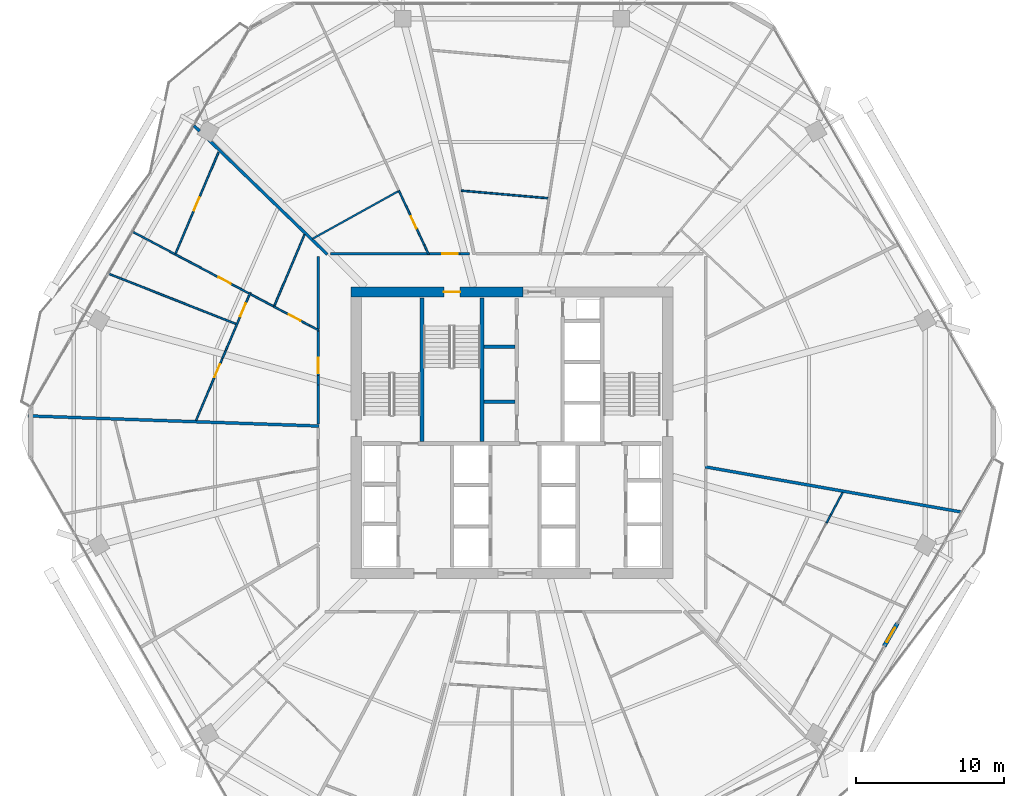
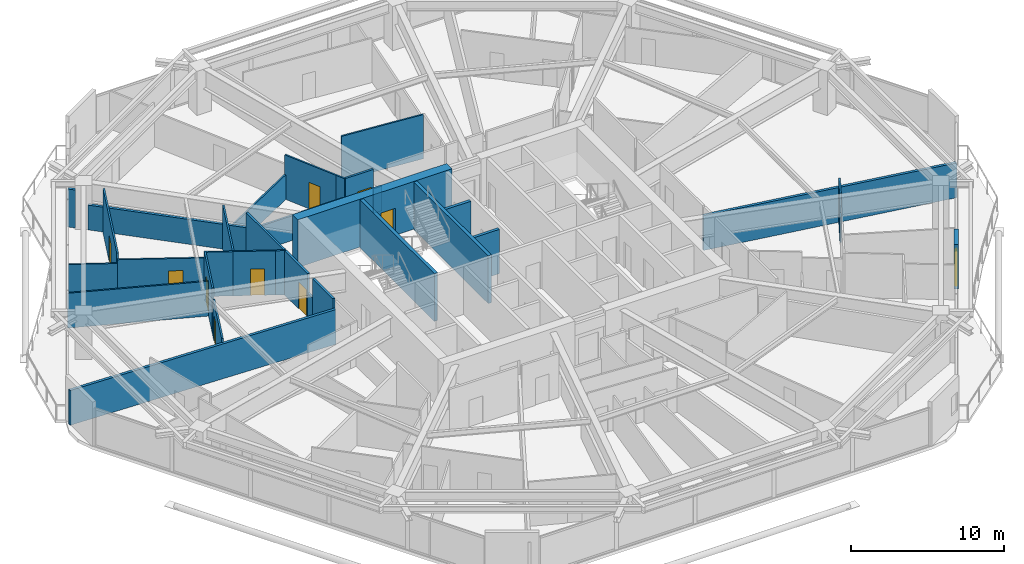
# One storey, part 29 of 33: 34 walls, 10 doors, 10 openings.
"""IFC4 building model written with IfcOpenShell, lengths in metres."""

from ifc_helpers import new_model, si_unit, direction, frame, frame_2d, origin, place, context, subcontext, project, spatial, rectangle, extrude, material, layer, layer_set, type_object, element, fill, save


model = new_model("IFC4")

# Units and contexts
model_context = context("Model", 3, precision=1e-05, world=origin(), true_north=direction((0.0, 1.0)))
body_context = subcontext(model_context, "Body", "Model", "MODEL_VIEW")
ifc_project = project(units=[si_unit("LENGTHUNIT", "METRE"), si_unit("AREAUNIT", "SQUARE_METRE"), si_unit("VOLUMEUNIT", "CUBIC_METRE"), si_unit("PLANEANGLEUNIT", "RADIAN"), si_unit("MASSUNIT", "GRAM", prefix="KILO")], contexts=[model_context])

# Site, building, storey
site_placement = place(None, origin())
site = spatial("IfcSite", under=ifc_project, at=site_placement, CompositionType="ELEMENT")
building_placement = place(site_placement, origin())
building = spatial("IfcBuilding", under=site, at=building_placement, Name="Zuhravey Tower", CompositionType="ELEMENT")
storey_placement = place(building_placement, frame((0.0, 0.0, 141.800048828125)))
storey = spatial("IfcBuildingStorey", under=building, at=storey_placement, Name="L35", CompositionType="ELEMENT", Elevation=141.800048828125)

# Wall, opening, door
ifc_material_1 = material(Name="Concrete C60/75", Category="concrete")
ifc_layer_1 = layer(ifc_material_1, 0.699951171875)
ifc_layer_set_1 = layer_set([ifc_layer_1], Name="Concrete C60/75")
wall_type_1 = type_object("IfcWallType", Name="Core Shear Wall 700", PredefinedType="SHEAR", material=ifc_layer_set_1)
wall_1_placement = place(storey_placement, frame((36.75, 41.5, 0.0), z_axis=(0.0, 0.0, 1.0), x_axis=(-1.0, 0.0, 0.0)))
wall_1 = element("IfcWall", 1, at=wall_1_placement, inside=storey, type_object=wall_type_1, Name="L35 North-West Core Shear Wall CW70", PredefinedType="SHEAR", context=body_context, shape_type="SweptSolid", body=[
    extrude(rectangle(XDim=11.60009765625, YDim=0.699951171875, at=frame_2d((5.800048828125, 0.0))), origin(), (0.0, 0.0, 1.0), 3.800048828125),
])
opening_1_placement = place(wall_1_placement, frame((4.25, 0.0, 0.0)))
opening_1 = element("IfcOpeningElement", 2, at=opening_1_placement, cuts=wall_1, Name="Opening STD1", PredefinedType="OPENING", context=body_context, shape_type="SweptSolid", body=[
    extrude(rectangle(XDim=1.10009765625, YDim=2.14990234375, at=frame_2d((0.550048828125, 1.074951171875))), frame((0.0, 0.362060546875, 0.0), z_axis=(0.0, -1.0, 0.0), x_axis=(1.0, 0.0, 0.0)), (0.0, 0.0, 1.0), 0.723876953125),
])
ifc_material_2 = material(Name="Galvanised fire-rated steel leaf", Category="steel")
door_type_1 = type_object("IfcDoorType", Name="Protected Stair Fire Door 1100x2150", OperationType="NOTDEFINED", PredefinedType="USERDEFINED", material=ifc_material_2)
door_1_placement = place(opening_1_placement, origin())
door_1 = element("IfcDoor", 3, at=door_1_placement, inside=storey, type_object=door_type_1, Name="L35 Stair ST3 Door", ObjectType="EXITDOOR", OperationType="SINGLE_SWING_RIGHT", OverallHeight=2.14990234375, OverallWidth=1.10009765625, PredefinedType="USERDEFINED", context=body_context, shape_type="SweptSolid", body=[
    extrude(rectangle(XDim=1.10009765625, YDim=2.14990234375, at=frame_2d((0.550048828125, 1.074951171875))), frame((0.0, 0.02490234375, 0.0), z_axis=(0.0, -1.0, 0.0), x_axis=(1.0, 0.0, 0.0)), (0.0, 0.0, 1.0), 0.050048828125),
])
fill(opening_1, door_1)

ifc_material_3 = material(Name="Gypsum fire-rated stud partition")
ifc_layer_2 = layer(ifc_material_3, 0.159912109375)
ifc_layer_set_2 = layer_set([ifc_layer_2], Name="Gypsum fire-rated stud partition")
wall_type_2 = type_object("IfcWallType", Name="Corridor Fire Partition 160", PredefinedType="PARTITIONING", material=ifc_layer_set_2)
wall_2_placement = place(storey_placement, frame((32.492919921875, 44.080078125, 0.0), z_axis=(0.0, 0.0, 1.0), x_axis=(-1.0, 0.0, 0.0)))
wall_2 = element("IfcWall", 4, at=wall_2_placement, inside=storey, type_object=wall_type_2, Name="L35 IW16 Partition 032", PredefinedType="PARTITIONING", context=body_context, shape_type="SweptSolid", body=[
    extrude(rectangle(XDim=2.114013671875, YDim=0.159912109375, at=frame_2d((1.05712890625, 0.0))), origin(), (0.0, 0.0, 1.0), 3.52001953125),
])
opening_2_placement = place(wall_2_placement, frame((0.139892578125, 0.0, 0.0)))
opening_2 = element("IfcOpeningElement", 5, at=opening_2_placement, cuts=wall_2, Name="Opening APD1", PredefinedType="OPENING", context=body_context, shape_type="SweptSolid", body=[
    extrude(rectangle(XDim=1.050048828125, YDim=2.14990234375, at=frame_2d((0.52490234375, 1.074951171875))), frame((0.0, 0.092041015625, 0.0), z_axis=(0.0, -1.0, 0.0), x_axis=(1.0, 0.0, 0.0)), (0.0, 0.0, 1.0), 0.183837890625),
])
ifc_material_4 = material(Name="Solid-core oak fire-rated leaf")
door_type_2 = type_object("IfcDoorType", Name="Apartment Entrance Fire Door 1050x2150", OperationType="NOTDEFINED", PredefinedType="DOOR", material=ifc_material_4)
door_2_placement = place(opening_2_placement, frame((1.050048828125, 0.0, 0.0), z_axis=(0.0, 0.0, 1.0), x_axis=(-1.0, 0.0, 0.0)))
door_2 = element("IfcDoor", 6, at=door_2_placement, inside=storey, type_object=door_type_2, Name="L35 Door 032.1", OperationType="SINGLE_SWING_RIGHT", OverallHeight=2.14990234375, OverallWidth=1.050048828125, PredefinedType="DOOR", context=body_context, shape_type="SweptSolid", body=[
    extrude(rectangle(XDim=1.050048828125, YDim=2.14990234375, at=frame_2d((0.52490234375, 1.074951171875))), frame((0.0, 0.02490234375, 0.0), z_axis=(0.0, -1.0, 0.0), x_axis=(1.0, 0.0, 0.0)), (0.0, 0.0, 1.0), 0.050048828125),
])
fill(opening_2, door_2)

wall_3_placement = place(storey_placement, frame((22.919921875, 38.90869140625, 0.0), z_axis=(0.0, 0.0, 1.0), x_axis=(0.0, -1.0, 0.0)))
wall_3 = element("IfcWall", 7, at=wall_3_placement, inside=storey, type_object=wall_type_2, Name="L35 IW16 Partition 039", PredefinedType="PARTITIONING", context=body_context, shape_type="SweptSolid", body=[
    extrude(rectangle(XDim=3.02587890625, YDim=0.159912109375, at=frame_2d((1.512939453125, 0.0))), origin(), (0.0, 0.0, 1.0), 3.52001953125),
])
opening_3_placement = place(wall_3_placement, frame((1.8359375, 0.0, 0.0)))
opening_3 = element("IfcOpeningElement", 8, at=opening_3_placement, cuts=wall_3, Name="Opening APD1", PredefinedType="OPENING", context=body_context, shape_type="SweptSolid", body=[
    extrude(rectangle(XDim=1.050048828125, YDim=2.14990234375, at=frame_2d((0.52490234375, 1.074951171875))), frame((0.0, 0.092041015625, 0.0), z_axis=(0.0, -1.0, 0.0), x_axis=(1.0, 0.0, 0.0)), (0.0, 0.0, 1.0), 0.183837890625),
])
door_3_placement = place(opening_3_placement, frame((1.050048828125, 0.0, 0.0), z_axis=(0.0, 0.0, 1.0), x_axis=(-1.0, 0.0, 0.0)))
door_3 = element("IfcDoor", 9, at=door_3_placement, inside=storey, type_object=door_type_2, Name="L35 Door 039.1", OperationType="SINGLE_SWING_RIGHT", OverallHeight=2.14990234375, OverallWidth=1.050048828125, PredefinedType="DOOR", context=body_context, shape_type="SweptSolid", body=[
    extrude(rectangle(XDim=1.050048828125, YDim=2.14990234375, at=frame_2d((0.52490234375, 1.074951171875))), frame((0.0, 0.02490234375, 0.0), z_axis=(0.0, -1.0, 0.0), x_axis=(1.0, 0.0, 0.0)), (0.0, 0.0, 1.0), 0.050048828125),
])
fill(opening_3, door_3)

# Walls
wall_4_placement = place(storey_placement, frame((33.135986328125, 44.080078125, 0.0), z_axis=(0.0, 0.0, 1.0), x_axis=(-1.0, 0.0, 0.0)))
element("IfcWall", 10, at=wall_4_placement, inside=storey, type_object=wall_type_2, Name="L35 IW16 Partition 092", PredefinedType="PARTITIONING", context=body_context, shape_type="SweptSolid", body=[
    extrude(rectangle(XDim=0.64306640625, YDim=0.159912109375, at=frame_2d((0.321533203125, 0.0))), origin(), (0.0, 0.0, 1.0), 1.969970703125),
])
wall_5_placement = place(storey_placement, frame((22.919921875, 35.8828125, 0.0), z_axis=(0.0, 0.0, 1.0), x_axis=(0.0, -1.0, 0.0)))
element("IfcWall", 11, at=wall_5_placement, inside=storey, type_object=wall_type_2, Name="L35 IW16 Partition 100", PredefinedType="PARTITIONING", context=body_context, shape_type="SweptSolid", body=[
    extrude(rectangle(XDim=0.644775390625, YDim=0.159912109375, at=frame_2d((0.322265625, 0.0))), origin(), (0.0, 0.0, 1.0), 1.969970703125),
])
wall_6_placement = place(storey_placement, frame((22.919921875, 35.238037109375, 0.0), z_axis=(0.0, 0.0, 1.0), x_axis=(0.0, -1.0, 0.0)))
element("IfcWall", 12, at=wall_6_placement, inside=storey, type_object=wall_type_2, Name="L35 IW16 Partition 101", PredefinedType="PARTITIONING", context=body_context, shape_type="SweptSolid", body=[
    extrude(rectangle(XDim=2.64697265625, YDim=0.159912109375, at=frame_2d((1.323486328125, 0.0))), origin(), (0.0, 0.0, 1.0), 3.52001953125),
])
wall_7_placement = place(storey_placement, frame((30.28173828125, 44.080078125, 0.0), z_axis=(0.0, 0.0, 1.0), x_axis=(-1.0, 0.0, 0.0)))
element("IfcWall", 13, at=wall_7_placement, inside=storey, type_object=wall_type_2, Name="L35 IW16 Partition 145", PredefinedType="PARTITIONING", context=body_context, shape_type="SweptSolid", body=[
    extrude(rectangle(XDim=6.5458984375, YDim=0.159912109375, at=frame_2d((3.27294921875, 0.0))), origin(), (0.0, 0.0, 1.0), 1.969970703125),
])
wall_8_placement = place(storey_placement, frame((22.919921875, 43.89990234375, 0.0), z_axis=(0.0, 0.0, 1.0), x_axis=(0.0, -1.0, 0.0)))
element("IfcWall", 14, at=wall_8_placement, inside=storey, type_object=wall_type_2, Name="L35 IW16 Partition 146", PredefinedType="PARTITIONING", context=body_context, shape_type="SweptSolid", body=[
    extrude(rectangle(XDim=4.8916015625, YDim=0.159912109375, at=frame_2d((2.44580078125, 0.0))), origin(), (0.0, 0.0, 1.0), 3.52001953125),
])

# Wall, opening, door
ifc_material_5 = material(Name="Precast concrete C40/50", Category="concrete")
ifc_layer_3 = layer(ifc_material_5, 0.280029296875)
ifc_layer_set_3 = layer_set([ifc_layer_3], Name="Precast concrete C40/50")
wall_type_3 = type_object("IfcWallType", Name="Crown Architectural Wall 280", PredefinedType="SOLIDWALL", material=ifc_layer_set_3)
wall_9_placement = place(storey_placement, frame((62.014892578125, 19.14208984375, 0.0), z_axis=(0.0, 0.0, 1.0), x_axis=(-0.499982180423, -0.866035691677, 0.0)))
wall_9 = element("IfcWall", 15, at=wall_9_placement, inside=storey, type_object=wall_type_3, Name="L35 Face 6 Facade Pier EW28-1", PredefinedType="SOLIDWALL", context=body_context, shape_type="SweptSolid", body=[
    extrude(rectangle(XDim=1.7900390625, YDim=0.280029296875, at=frame_2d((0.89501953125, 0.0))), origin(), (0.0, 0.0, 1.0), 3.52001953125),
])
opening_4_placement = place(wall_9_placement, frame((0.344970703125, 0.0, 0.0)))
opening_4 = element("IfcOpeningElement", 16, at=opening_4_placement, cuts=wall_9, Name="Opening BLD1", PredefinedType="OPENING", context=body_context, shape_type="SweptSolid", body=[
    extrude(rectangle(XDim=1.10009765625, YDim=2.199951171875, at=frame_2d((0.550048828125, 1.10009765625))), frame((0.0, 0.152099609375, 0.0), z_axis=(0.0, -1.0, 0.0), x_axis=(1.0, 0.0, 0.0)), (0.0, 0.0, 1.0), 0.303955078125),
])
ifc_material_6 = material(Name="Thermally broken aluminium and low-E glass", Category="aluminium")
door_type_3 = type_object("IfcDoorType", Name="Balcony & Sky-Tray Glazed Door 1100x2200", OperationType="NOTDEFINED", PredefinedType="DOOR", material=ifc_material_6)
door_4_placement = place(opening_4_placement, frame((1.10009765625, 0.0, 0.0), z_axis=(0.0, 0.0, 1.0), x_axis=(-1.0, 0.0, 0.0)))
door_4 = element("IfcDoor", 17, at=door_4_placement, inside=storey, type_object=door_type_3, Name="L35 Face 6 Wave Balcony Door", OperationType="SINGLE_SWING_LEFT", OverallHeight=2.199951171875, OverallWidth=1.10009765625, PredefinedType="DOOR", context=body_context, shape_type="SweptSolid", body=[
    extrude(rectangle(XDim=1.10009765625, YDim=2.199951171875, at=frame_2d((0.550048828125, 1.10009765625))), frame((0.0, 0.02490234375, 0.0), z_axis=(0.0, -1.0, 0.0), x_axis=(1.0, 0.0, 0.0)), (0.0, 0.0, 1.0), 0.050048828125),
])
fill(opening_4, door_4)

# Walls
ifc_material_7 = material(Name="Concrete C50/60", Category="concrete")
ifc_layer_4 = layer(ifc_material_7, 0.25)
ifc_layer_set_4 = layer_set([ifc_layer_4], Name="Concrete C50/60")
wall_type_4 = type_object("IfcWallType", Name="Firefighting Shaft & Stair Wall 250", PredefinedType="SOLIDWALL", material=ifc_layer_set_4)
for number, where, z_axis, x_axis, name in (
    (18, (29.925048828125, 31.39990234375, 0.0), (0.0, 0.0, 1.0), (0.0, 1.0, 0.0), "L35 FW25 Shaft Wall 004"),
    (19, (33.97509765625, 31.39990234375, 0.0), (0.0, 0.0, 1.0), (0.0, 1.0, 0.0), "L35 FW25 Shaft Wall 005"),
):
    element("IfcWall", number, at=place(storey_placement, frame(where, z_axis=z_axis, x_axis=x_axis)), inside=storey, type_object=wall_type_4, Name=name, PredefinedType="SOLIDWALL", context=body_context, shape_type="SweptSolid", body=[
        extrude(rectangle(XDim=9.7001953125, YDim=0.25, at=frame_2d((4.85009765625, 0.0))), origin(), (0.0, 0.0, 1.0), 3.800048828125),
    ])
ifc_material_8 = material(Name="Gypsum double-stud party assembly")
ifc_layer_5 = layer(ifc_material_8, 0.199951171875)
ifc_layer_set_5 = layer_set([ifc_layer_5], Name="Gypsum double-stud party assembly")
wall_type_5 = type_object("IfcWallType", Name="Inter-Tenancy Party Wall 200", PredefinedType="PARTITIONING", material=ifc_layer_set_5)
wall_10_placement = place(storey_placement, frame((23.5322265625, 44.0400390625, 0.0), z_axis=(0.0, 0.0, 1.0), x_axis=(-0.719346007821, 0.694651942365, 0.0)))
element("IfcWall", 20, at=wall_10_placement, inside=storey, type_object=wall_type_5, Name="L35 IW20 Partition 093", PredefinedType="PARTITIONING", context=body_context, shape_type="SweptSolid", body=[
    extrude(rectangle(XDim=11.152099609375, YDim=0.199951171875, at=frame_2d((5.576171875, 0.0))), origin(), (0.0, 0.0, 1.0), 1.969970703125),
])
wall_11_placement = place(storey_placement, frame((14.910888671875, 52.365478515625, 0.0), z_axis=(0.0, 0.0, 1.0), x_axis=(-0.719257985061, 0.694743082676, 0.0)))
element("IfcWall", 21, at=wall_11_placement, inside=storey, type_object=wall_type_5, Name="L35 IW20 Partition 094", PredefinedType="PARTITIONING", context=body_context, shape_type="SweptSolid", body=[
    extrude(rectangle(XDim=0.52783203125, YDim=0.199951171875, at=frame_2d((0.263916015625, 0.0))), origin(), (0.0, 0.0, 1.0), 3.02001953125),
])
wall_12_placement = place(storey_placement, frame((22.9599609375, 32.455322265625, 0.0), z_axis=(0.0, 0.0, 1.0), x_axis=(-0.999390490405, 0.03490913473, 0.0)))
element("IfcWall", 22, at=wall_12_placement, inside=storey, type_object=wall_type_5, Name="L35 IW20 Partition 102", PredefinedType="PARTITIONING", context=body_context, shape_type="SweptSolid", body=[
    extrude(rectangle(XDim=19.64501953125, YDim=0.199951171875, at=frame_2d((9.822509765625, 0.0))), origin(), (0.0, 0.0, 1.0), 2.77001953125),
])
wall_13_placement = place(storey_placement, frame((49.0400390625, 29.70068359375, 0.0), z_axis=(0.0, 0.0, 1.0), x_axis=(0.98480788117, -0.173647450844, 0.0)))
element("IfcWall", 23, at=wall_13_placement, inside=storey, type_object=wall_type_5, Name="L35 IW20 Partition 139", PredefinedType="PARTITIONING", context=body_context, shape_type="SweptSolid", body=[
    extrude(rectangle(XDim=17.575927734375, YDim=0.199951171875, at=frame_2d((8.7880859375, 0.0))), origin(), (0.0, 0.0, 1.0), 2.77001953125),
])
ifc_material_9 = material(Name="Gypsum acoustic stud assembly")
ifc_layer_6 = layer(ifc_material_9, 0.219970703125)
ifc_layer_set_6 = layer_set([ifc_layer_6], Name="Gypsum acoustic stud assembly")
wall_type_6 = type_object("IfcWallType", Name="School Acoustic Compartment Wall 220", PredefinedType="PARTITIONING", material=ifc_layer_set_6)
for number, where, z_axis, x_axis, name in (
    (24, (34.10791015625, 34.10009765625, 0.0), (0.0, 0.0, 1.0), (1.0, 0.0, 0.0), "L35 IW22 Partition 066"),
    (25, (34.10791015625, 37.800048828125, 0.0), (0.0, 0.0, 1.0), (1.0, 0.0, 0.0), "L35 IW22 Partition 067"),
):
    element("IfcWall", number, at=place(storey_placement, frame(where, z_axis=z_axis, x_axis=x_axis)), inside=storey, type_object=wall_type_6, Name=name, PredefinedType="PARTITIONING", context=body_context, shape_type="SweptSolid", body=[
        extrude(rectangle(XDim=2.083984375, YDim=0.219970703125, at=frame_2d((1.0419921875, 0.0))), origin(), (0.0, 0.0, 1.0), 3.52001953125),
    ])

# Wall, opening, door
ifc_material_10 = material(Name="Gypsum metal-stud partition")
ifc_layer_7 = layer(ifc_material_10, 0.1201171875)
ifc_layer_set_7 = layer_set([ifc_layer_7], Name="Gypsum metal-stud partition")
wall_type_7 = type_object("IfcWallType", Name="Unit Internal Partition 120", PredefinedType="PARTITIONING", material=ifc_layer_set_7)
wall_14_placement = place(storey_placement, frame((30.090576171875, 44.64990234375, 0.0), z_axis=(0.0, 0.0, 1.0), x_axis=(-0.423251766224, 0.906012109405, 0.0)))
wall_14 = element("IfcWall", 26, at=wall_14_placement, inside=storey, type_object=wall_type_7, Name="L35 IW12 Partition 029", PredefinedType="PARTITIONING", context=body_context, shape_type="SweptSolid", body=[
    extrude(rectangle(XDim=4.086181640625, YDim=0.1201171875, at=frame_2d((2.04296875, 0.0))), origin(), (0.0, 0.0, 1.0), 3.52001953125),
])
opening_5_placement = place(wall_14_placement, frame((1.26611328125, 0.0, 0.0)))
opening_5 = element("IfcOpeningElement", 27, at=opening_5_placement, cuts=wall_14, Name="Opening WCD1", PredefinedType="OPENING", context=body_context, shape_type="SweptSolid", body=[
    extrude(rectangle(XDim=0.89990234375, YDim=2.10009765625, at=frame_2d((0.449951171875, 1.050048828125))), frame((0.0, 0.072021484375, 0.0), z_axis=(0.0, -1.0, 0.0), x_axis=(1.0, 0.0, 0.0)), (0.0, 0.0, 1.0), 0.14404296875),
])
ifc_material_11 = material(Name="Moisture-resistant timber leaf", Category="wood")
door_type_4 = type_object("IfcDoorType", Name="Bathroom & WC Internal Door 900x2100", OperationType="NOTDEFINED", PredefinedType="DOOR", material=ifc_material_11)
door_5_placement = place(opening_5_placement, origin())
door_5 = element("IfcDoor", 28, at=door_5_placement, inside=storey, type_object=door_type_4, Name="Apartment L35-03 Bathroom Door", OperationType="SINGLE_SWING_LEFT", OverallHeight=2.10009765625, OverallWidth=0.89990234375, PredefinedType="DOOR", context=body_context, shape_type="SweptSolid", body=[
    extrude(rectangle(XDim=0.89990234375, YDim=2.10009765625, at=frame_2d((0.449951171875, 1.050048828125))), frame((0.0, 0.02490234375, 0.0), z_axis=(0.0, -1.0, 0.0), x_axis=(1.0, 0.0, 0.0)), (0.0, 0.0, 1.0), 0.050048828125),
])
fill(opening_5, door_5)

wall_15_placement = place(storey_placement, frame((18.343017578125, 41.469970703125, 0.0), z_axis=(0.0, 0.0, 1.0), x_axis=(-0.390679911638, -0.920526592035, 0.0)))
wall_15 = element("IfcWall", 29, at=wall_15_placement, inside=storey, type_object=wall_type_7, Name="L35 IW12 Partition 033", PredefinedType="PARTITIONING", context=body_context, shape_type="SweptSolid", body=[
    extrude(rectangle(XDim=4.241943359375, YDim=0.1201171875, at=frame_2d((2.12109375, 0.0))), origin(), (0.0, 0.0, 1.0), 3.52001953125),
])
opening_6_placement = place(wall_15_placement, frame((0.81201171875, 0.0, 0.0)))
opening_6 = element("IfcOpeningElement", 30, at=opening_6_placement, cuts=wall_15, Name="Opening IND1", PredefinedType="OPENING", context=body_context, shape_type="SweptSolid", body=[
    extrude(rectangle(XDim=0.949951171875, YDim=2.10009765625, at=frame_2d((0.47509765625, 1.050048828125))), frame((0.0, 0.072021484375, 0.0), z_axis=(0.0, -1.0, 0.0), x_axis=(1.0, 0.0, 0.0)), (0.0, 0.0, 1.0), 0.14404296875),
])
ifc_material_12 = material(Name="Painted engineered timber leaf", Category="wood")
door_type_5 = type_object("IfcDoorType", Name="Internal Room & Bedroom Door 950x2100", OperationType="NOTDEFINED", PredefinedType="DOOR", material=ifc_material_12)
door_6_placement = place(opening_6_placement, frame((0.949951171875, 0.0, 0.0), z_axis=(0.0, 0.0, 1.0), x_axis=(-1.0, 0.0, 0.0)))
door_6 = element("IfcDoor", 31, at=door_6_placement, inside=storey, type_object=door_type_5, Name="Apartment L35-04 Family Study Door", OperationType="SINGLE_SWING_LEFT", OverallHeight=2.10009765625, OverallWidth=0.949951171875, PredefinedType="DOOR", context=body_context, shape_type="SweptSolid", body=[
    extrude(rectangle(XDim=0.949951171875, YDim=2.10009765625, at=frame_2d((0.47509765625, 1.050048828125))), frame((0.0, 0.02490234375, 0.0), z_axis=(0.0, -1.0, 0.0), x_axis=(1.0, 0.0, 0.0)), (0.0, 0.0, 1.0), 0.050048828125),
])
fill(opening_6, door_6)

wall_16_placement = place(storey_placement, frame((16.451416015625, 37.013427734375, 0.0), z_axis=(0.0, 0.0, 1.0), x_axis=(-0.390726459609, -0.920506835261, 0.0)))
wall_16 = element("IfcWall", 32, at=wall_16_placement, inside=storey, type_object=wall_type_7, Name="L35 IW12 Partition 034", PredefinedType="PARTITIONING", context=body_context, shape_type="SweptSolid", body=[
    extrude(rectangle(XDim=4.543701171875, YDim=0.1201171875, at=frame_2d((2.27197265625, 0.0))), origin(), (0.0, 0.0, 1.0), 3.070068359375),
])
opening_7_placement = place(wall_16_placement, frame((0.42333984375, 0.0, 0.0)))
opening_7 = element("IfcOpeningElement", 33, at=opening_7_placement, cuts=wall_16, Name="Opening IND1", PredefinedType="OPENING", context=body_context, shape_type="SweptSolid", body=[
    extrude(rectangle(XDim=0.949951171875, YDim=2.10009765625, at=frame_2d((0.47509765625, 1.050048828125))), frame((0.0, 0.072021484375, 0.0), z_axis=(0.0, -1.0, 0.0), x_axis=(1.0, 0.0, 0.0)), (0.0, 0.0, 1.0), 0.14404296875),
])
door_7_placement = place(opening_7_placement, frame((0.949951171875, 0.0, 0.0), z_axis=(0.0, 0.0, 1.0), x_axis=(-1.0, 0.0, 0.0)))
door_7 = element("IfcDoor", 34, at=door_7_placement, inside=storey, type_object=door_type_5, Name="Apartment L35-04 Dining Room Door", OperationType="SINGLE_SWING_RIGHT", OverallHeight=2.10009765625, OverallWidth=0.949951171875, PredefinedType="DOOR", context=body_context, shape_type="SweptSolid", body=[
    extrude(rectangle(XDim=0.949951171875, YDim=2.10009765625, at=frame_2d((0.47509765625, 1.050048828125))), frame((0.0, 0.02490234375, 0.0), z_axis=(0.0, -1.0, 0.0), x_axis=(1.0, 0.0, 0.0)), (0.0, 0.0, 1.0), 0.050048828125),
])
fill(opening_7, door_7)

wall_17_placement = place(storey_placement, frame((22.35009765625, 39.2333984375, 0.0), z_axis=(0.0, 0.0, 1.0), x_axis=(-0.883615720344, 0.468212834896, 0.0)))
wall_17 = element("IfcWall", 35, at=wall_17_placement, inside=storey, type_object=wall_type_7, Name="L35 IW12 Partition 035", PredefinedType="PARTITIONING", context=body_context, shape_type="SweptSolid", body=[
    extrude(rectangle(XDim=2.760009765625, YDim=0.1201171875, at=frame_2d((1.3798828125, 0.0))), origin(), (0.0, 0.0, 1.0), 3.52001953125),
])
opening_8_placement = place(wall_17_placement, frame((0.708984375, 0.0, 0.0)))
opening_8 = element("IfcOpeningElement", 36, at=opening_8_placement, cuts=wall_17, Name="Opening WCD1", PredefinedType="OPENING", context=body_context, shape_type="SweptSolid", body=[
    extrude(rectangle(XDim=0.89990234375, YDim=2.10009765625, at=frame_2d((0.449951171875, 1.050048828125))), frame((0.0, 0.072021484375, 0.0), z_axis=(0.0, -1.0, 0.0), x_axis=(1.0, 0.0, 0.0)), (0.0, 0.0, 1.0), 0.14404296875),
])
door_8_placement = place(opening_8_placement, frame((0.89990234375, 0.0, 0.0), z_axis=(0.0, 0.0, 1.0), x_axis=(-1.0, 0.0, 0.0)))
door_8 = element("IfcDoor", 37, at=door_8_placement, inside=storey, type_object=door_type_4, Name="Apartment L35-04 Bathroom Door", OperationType="SINGLE_SWING_LEFT", OverallHeight=2.10009765625, OverallWidth=0.89990234375, PredefinedType="DOOR", context=body_context, shape_type="SweptSolid", body=[
    extrude(rectangle(XDim=0.89990234375, YDim=2.10009765625, at=frame_2d((0.449951171875, 1.050048828125))), frame((0.0, 0.02490234375, 0.0), z_axis=(0.0, -1.0, 0.0), x_axis=(1.0, 0.0, 0.0)), (0.0, 0.0, 1.0), 0.050048828125),
])
fill(opening_8, door_8)

# Wall
wall_18_placement = place(storey_placement, frame((19.911376953125, 40.525634765625, 0.0), z_axis=(0.0, 0.0, 1.0), x_axis=(-0.883608091298, 0.46822723222, 0.0)))
element("IfcWall", 38, at=wall_18_placement, inside=storey, type_object=wall_type_7, Name="L35 IW12 Partition 036", PredefinedType="PARTITIONING", context=body_context, shape_type="SweptSolid", body=[
    extrude(rectangle(XDim=1.7509765625, YDim=0.1201171875, at=frame_2d((0.87548828125, 0.0))), origin(), (0.0, 0.0, 1.0), 3.52001953125),
])

# Wall, opening, door
wall_19_placement = place(storey_placement, frame((18.24365234375, 41.409423828125, 0.0), z_axis=(0.0, 0.0, 1.0), x_axis=(-0.88359040607, 0.468260605113, 0.0)))
wall_19 = element("IfcWall", 39, at=wall_19_placement, inside=storey, type_object=wall_type_7, Name="L35 IW12 Partition 037", PredefinedType="PARTITIONING", context=body_context, shape_type="SweptSolid", body=[
    extrude(rectangle(XDim=5.65478515625, YDim=0.1201171875, at=frame_2d((2.827392578125, 0.0))), origin(), (0.0, 0.0, 1.0), 3.070068359375),
])
opening_9_placement = place(wall_19_placement, frame((1.383544921875, 0.0, 0.0)))
opening_9 = element("IfcOpeningElement", 40, at=opening_9_placement, cuts=wall_19, Name="Opening IND1", PredefinedType="OPENING", context=body_context, shape_type="SweptSolid", body=[
    extrude(rectangle(XDim=0.949951171875, YDim=2.10009765625, at=frame_2d((0.47509765625, 1.050048828125))), frame((0.0, 0.072021484375, 0.0), z_axis=(0.0, -1.0, 0.0), x_axis=(1.0, 0.0, 0.0)), (0.0, 0.0, 1.0), 0.14404296875),
])
door_9_placement = place(opening_9_placement, frame((0.949951171875, 0.0, 0.0), z_axis=(0.0, 0.0, 1.0), x_axis=(-1.0, 0.0, 0.0)))
door_9 = element("IfcDoor", 41, at=door_9_placement, inside=storey, type_object=door_type_5, Name="Apartment L35-04 Home Office Door", OperationType="SINGLE_SWING_RIGHT", OverallHeight=2.10009765625, OverallWidth=0.949951171875, PredefinedType="DOOR", context=body_context, shape_type="SweptSolid", body=[
    extrude(rectangle(XDim=0.949951171875, YDim=2.10009765625, at=frame_2d((0.47509765625, 1.050048828125))), frame((0.0, 0.02490234375, 0.0), z_axis=(0.0, -1.0, 0.0), x_axis=(1.0, 0.0, 0.0)), (0.0, 0.0, 1.0), 0.050048828125),
])
fill(opening_9, door_9)

wall_20_placement = place(storey_placement, frame((16.193115234375, 50.933837890625, 0.0), z_axis=(0.0, 0.0, 1.0), x_axis=(-0.390729944547, -0.920505356005, 0.0)))
wall_20 = element("IfcWall", 42, at=wall_20_placement, inside=storey, type_object=wall_type_7, Name="L35 IW12 Partition 038", PredefinedType="PARTITIONING", context=body_context, shape_type="SweptSolid", body=[
    extrude(rectangle(XDim=7.414794921875, YDim=0.1201171875, at=frame_2d((3.70751953125, 0.0))), origin(), (0.0, 0.0, 1.0), 3.52001953125),
])
opening_10_placement = place(wall_20_placement, frame((3.31689453125, 0.0, 0.0)))
opening_10 = element("IfcOpeningElement", 43, at=opening_10_placement, cuts=wall_20, Name="Opening IND1", PredefinedType="OPENING", context=body_context, shape_type="SweptSolid", body=[
    extrude(rectangle(XDim=0.949951171875, YDim=2.10009765625, at=frame_2d((0.47509765625, 1.050048828125))), frame((0.0, 0.072021484375, 0.0), z_axis=(0.0, -1.0, 0.0), x_axis=(1.0, 0.0, 0.0)), (0.0, 0.0, 1.0), 0.14404296875),
])
door_10_placement = place(opening_10_placement, frame((0.949951171875, 0.0, 0.0), z_axis=(0.0, 0.0, 1.0), x_axis=(-1.0, 0.0, 0.0)))
door_10 = element("IfcDoor", 44, at=door_10_placement, inside=storey, type_object=door_type_5, Name="Apartment L35-04 Bedroom 1 Door", OperationType="SINGLE_SWING_LEFT", OverallHeight=2.10009765625, OverallWidth=0.949951171875, PredefinedType="DOOR", context=body_context, shape_type="SweptSolid", body=[
    extrude(rectangle(XDim=0.949951171875, YDim=2.10009765625, at=frame_2d((0.47509765625, 1.050048828125))), frame((0.0, 0.02490234375, 0.0), z_axis=(0.0, -1.0, 0.0), x_axis=(1.0, 0.0, 0.0)), (0.0, 0.0, 1.0), 0.050048828125),
])
fill(opening_10, door_10)

# Walls
wall_21_placement = place(storey_placement, frame((38.42724609375, 47.831298828125, 0.0), z_axis=(0.0, 0.0, 1.0), x_axis=(-0.996197910099, 0.087119021539, 0.0)))
element("IfcWall", 45, at=wall_21_placement, inside=storey, type_object=wall_type_7, Name="L35 IW12 Partition 085", PredefinedType="PARTITIONING", context=body_context, shape_type="SweptSolid", body=[
    extrude(rectangle(XDim=5.876708984375, YDim=0.1201171875, at=frame_2d((2.9384765625, 0.0))), origin(), (0.0, 0.0, 1.0), 3.52001953125),
])
wall_22_placement = place(storey_placement, frame((30.376708984375, 44.037353515625, 0.0), z_axis=(0.0, 0.0, 1.0), x_axis=(-0.42322150624, 0.906026245015, 0.0)))
element("IfcWall", 46, at=wall_22_placement, inside=storey, type_object=wall_type_7, Name="L35 IW12 Partition 089", PredefinedType="PARTITIONING", context=body_context, shape_type="SweptSolid", body=[
    extrude(rectangle(XDim=0.676025390625, YDim=0.1201171875, at=frame_2d((0.337890625, 0.0))), origin(), (0.0, 0.0, 1.0), 3.52001953125),
])
wall_23_placement = place(storey_placement, frame((28.31201171875, 48.29638671875, 0.0), z_axis=(0.0, 0.0, 1.0), x_axis=(-0.874618781734, -0.484811289719, 0.0)))
element("IfcWall", 47, at=wall_23_placement, inside=storey, type_object=wall_type_7, Name="L35 IW12 Partition 091", PredefinedType="PARTITIONING", context=body_context, shape_type="SweptSolid", body=[
    extrude(rectangle(XDim=6.60693359375, YDim=0.1201171875, at=frame_2d((3.303466796875, 0.0))), origin(), (0.0, 0.0, 1.0), 1.969970703125),
])
wall_24_placement = place(storey_placement, frame((17.367919921875, 39.346435546875, 0.0), z_axis=(0.0, 0.0, 1.0), x_axis=(-0.93029771215, 0.366805352699, 0.0)))
element("IfcWall", 48, at=wall_24_placement, inside=storey, type_object=wall_type_7, Name="L35 IW12 Partition 095", PredefinedType="PARTITIONING", context=body_context, shape_type="SweptSolid", body=[
    extrude(rectangle(XDim=9.281005859375, YDim=0.1201171875, at=frame_2d((4.640625, 0.0))), origin(), (0.0, 0.0, 1.0), 2.77001953125),
])
wall_25_placement = place(storey_placement, frame((16.685791015625, 37.565185546875, 0.0), z_axis=(0.0, 0.0, 1.0), x_axis=(-0.39096815767, -0.920404204515, 0.0)))
element("IfcWall", 49, at=wall_25_placement, inside=storey, type_object=wall_type_7, Name="L35 IW12 Partition 096", PredefinedType="PARTITIONING", context=body_context, shape_type="SweptSolid", body=[
    extrude(rectangle(XDim=0.599365234375, YDim=0.1201171875, at=frame_2d((0.2998046875, 0.0))), origin(), (0.0, 0.0, 1.0), 1.969970703125),
])
wall_26_placement = place(storey_placement, frame((22.962158203125, 38.9091796875, 0.0), z_axis=(0.0, 0.0, 1.0), x_axis=(-0.883676430234, 0.468098244655, 0.0)))
element("IfcWall", 50, at=wall_26_placement, inside=storey, type_object=wall_type_7, Name="L35 IW12 Partition 097", PredefinedType="PARTITIONING", context=body_context, shape_type="SweptSolid", body=[
    extrude(rectangle(XDim=0.692626953125, YDim=0.1201171875, at=frame_2d((0.34619140625, 0.0))), origin(), (0.0, 0.0, 1.0), 3.52001953125),
])
wall_27_placement = place(storey_placement, frame((13.2470703125, 44.057373046875, 0.0), z_axis=(0.0, 0.0, 1.0), x_axis=(-0.883602277007, 0.468238204408, 0.0)))
element("IfcWall", 51, at=wall_27_placement, inside=storey, type_object=wall_type_7, Name="L35 IW12 Partition 098", PredefinedType="PARTITIONING", context=body_context, shape_type="SweptSolid", body=[
    extrude(rectangle(XDim=3.232177734375, YDim=0.1201171875, at=frame_2d((1.6162109375, 0.0))), origin(), (0.0, 0.0, 1.0), 2.77001953125),
])
wall_28_placement = place(storey_placement, frame((21.99609375, 45.373291015625, 0.0), z_axis=(0.0, 0.0, 1.0), x_axis=(-0.390721908243, -0.92050876716, 0.0)))
element("IfcWall", 52, at=wall_28_placement, inside=storey, type_object=wall_type_7, Name="L35 IW12 Partition 099", PredefinedType="PARTITIONING", context=body_context, shape_type="SweptSolid", body=[
    extrude(rectangle(XDim=5.210693359375, YDim=0.1201171875, at=frame_2d((2.60546875, 0.0))), origin(), (0.0, 0.0, 1.0), 3.52001953125),
])
wall_29_placement = place(storey_placement, frame((57.226806640625, 25.9140625, 0.0), z_axis=(0.0, 0.0, 1.0), x_axis=(0.469672786653, 0.882840570816, 0.0)))
element("IfcWall", 53, at=wall_29_placement, inside=storey, type_object=wall_type_7, Name="L35 IW12 Partition 131", PredefinedType="PARTITIONING", context=body_context, shape_type="SweptSolid", body=[
    extrude(rectangle(XDim=0.609130859375, YDim=0.1201171875, at=frame_2d((0.3046875, 0.0))), origin(), (0.0, 0.0, 1.0), 1.969970703125),
])
wall_30_placement = place(storey_placement, frame((57.512939453125, 26.451904296875, 0.0), z_axis=(0.0, 0.0, 1.0), x_axis=(0.46946414888, 0.882951534863, 0.0)))
element("IfcWall", 54, at=wall_30_placement, inside=storey, type_object=wall_type_7, Name="L35 IW12 Partition 132", PredefinedType="PARTITIONING", context=body_context, shape_type="SweptSolid", body=[
    extrude(rectangle(XDim=1.714111328125, YDim=0.1201171875, at=frame_2d((0.85693359375, 0.0))), origin(), (0.0, 0.0, 1.0), 3.52001953125),
])

save(model, "model.ifc")
